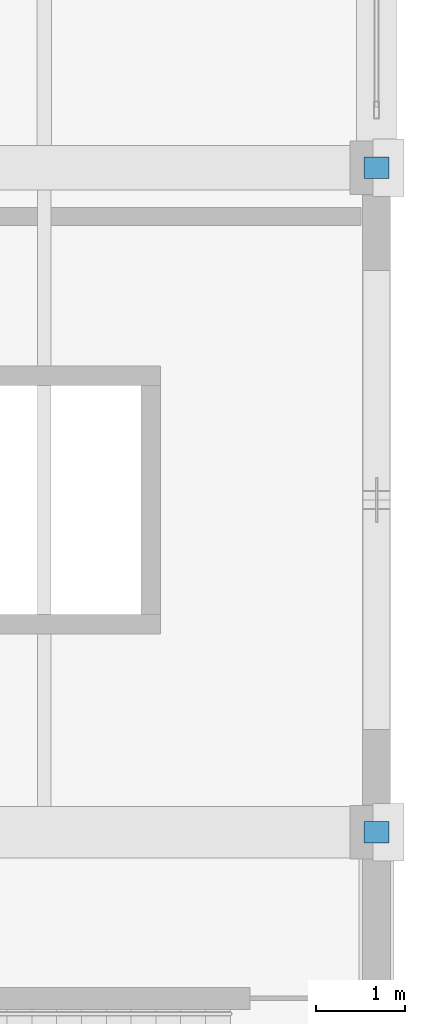
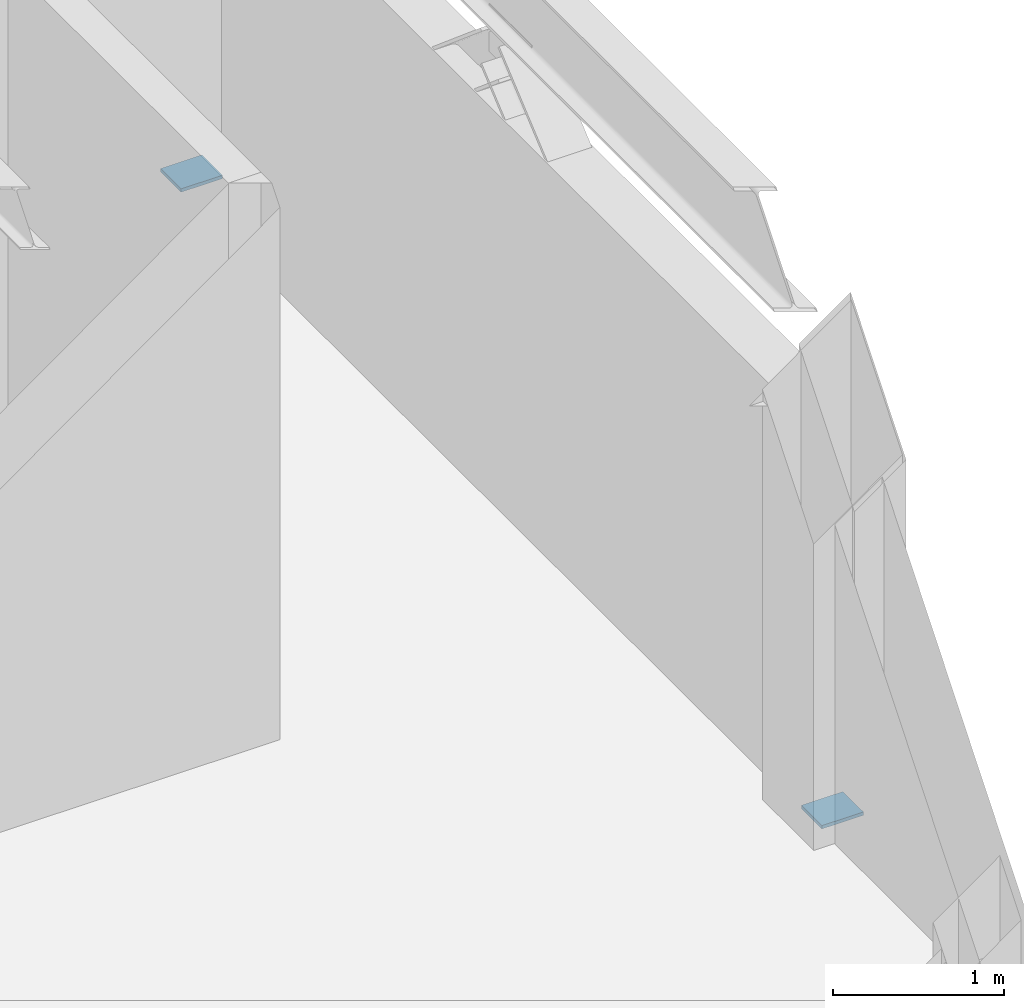
# One storey, part 107 of 124: 2 discrete accessories.
"""IFC4 building model written with IfcOpenShell, lengths in metres."""

from ifc_helpers import new_model, si_unit, direction, frame, origin, origin_2d, place, context, subcontext, project, spatial, rectangle, extrude, material, type_object, element, save


model = new_model("IFC4")

# Units and contexts
model_context = context("Model", 3, precision=1e-05, world=origin(), true_north=direction((0.0, 1.0)))
body_context = subcontext(model_context, "Body", "Model", "MODEL_VIEW")
ifc_project = project(units=[si_unit("LENGTHUNIT", "METRE"), si_unit("AREAUNIT", "SQUARE_METRE"), si_unit("VOLUMEUNIT", "CUBIC_METRE"), si_unit("PLANEANGLEUNIT", "RADIAN"), si_unit("MASSUNIT", "GRAM", prefix="KILO")], contexts=[model_context])

# Site, building, storey
site_placement = place(None, origin())
site = spatial("IfcSite", under=ifc_project, at=site_placement, CompositionType="ELEMENT")
building_placement = place(site_placement, origin())
building = spatial("IfcBuilding", under=site, at=building_placement, Name="Qasida Concert Hall", CompositionType="ELEMENT")
storey_placement = place(building_placement, frame((0.0, 0.0, 9.0)))
storey = spatial("IfcBuildingStorey", under=building, at=storey_placement, Name="L02", CompositionType="ELEMENT", Elevation=9.0)

# Discrete accessories
ifc_material = material(Name="Steel S355J2", Category="steel")
discrete_accessory_type = type_object("IfcDiscreteAccessoryType", Name="ACC-CONN-S355", PredefinedType="BRACKET", material=ifc_material)
for number, where, z_axis, x_axis, name in (
    (1, (165.0, 82.5, -0.011962890625), (0.0, 0.0, 1.0), (1.0, 0.0, 0.0), "Steel brace/strut end connection CN-0232"),
    (2, (165.0, 90.0, -0.011962890625), (0.0, 0.0, 1.0), (1.0, 0.0, 0.0), "Steel brace/strut end connection CN-0233"),
):
    element("IfcDiscreteAccessory", number, at=place(storey_placement, frame(where, z_axis=z_axis, x_axis=x_axis)), inside=storey, type_object=discrete_accessory_type, Name=name, PredefinedType="BRACKET", context=body_context, shape_type="SweptSolid", body=[
        extrude(rectangle(XDim=0.280029296875, YDim=0.239990234375, at=origin_2d()), origin(), (0.0, 0.0, 1.0), 0.02392578125),
    ])

save(model, "model.ifc")
